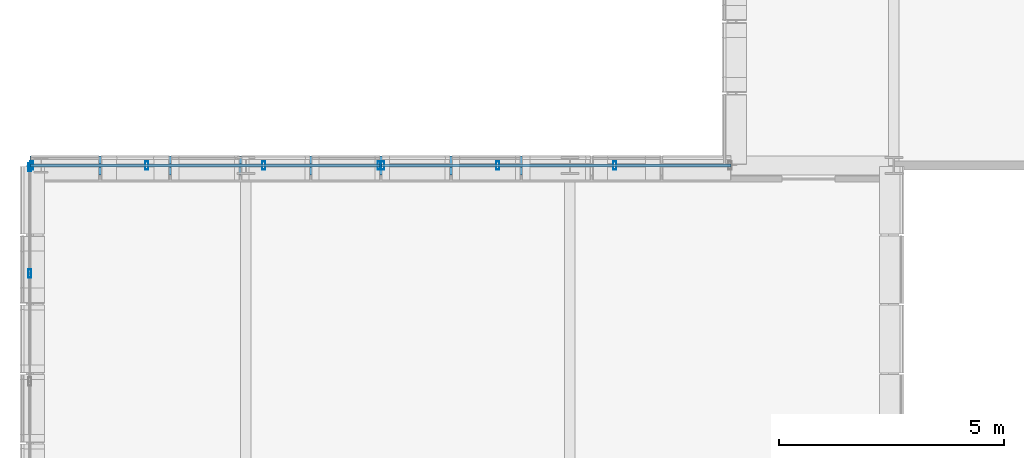
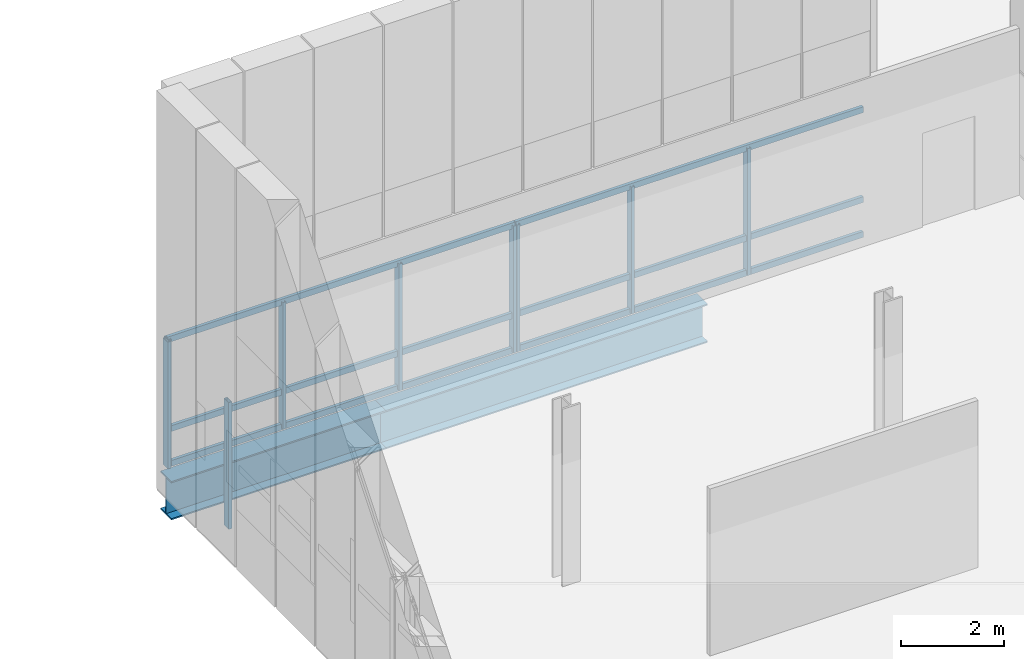
# One storey, part 17 of 144: 15 members, 2 beams, 3 elements without a shape of their own.
"""IFC4 building model written with IfcOpenShell, lengths in metres."""

from ifc_helpers import new_model, si_unit, direction, frame, origin, origin_2d, place, context, subcontext, project, spatial, hollow_rectangle, i_section, extrude, material, material_profile, profile_set, type_object, element, aggregate, save


model = new_model("IFC4")

# Units and contexts
model_context = context("Model", 3, precision=1e-05, world=origin(), true_north=direction((0.0, 1.0)))
body_context = subcontext(model_context, "Body", "Model", "MODEL_VIEW")
ifc_project = project(units=[si_unit("LENGTHUNIT", "METRE"), si_unit("AREAUNIT", "SQUARE_METRE"), si_unit("VOLUMEUNIT", "CUBIC_METRE"), si_unit("PLANEANGLEUNIT", "RADIAN"), si_unit("MASSUNIT", "GRAM", prefix="KILO")], contexts=[model_context])

# Site, building, storey
site_placement = place(None, origin())
site = spatial("IfcSite", under=ifc_project, at=site_placement, CompositionType="ELEMENT")
building_placement = place(site_placement, origin())
building = spatial("IfcBuilding", under=site, at=building_placement, Name="Yarey Park Central Fire Station", CompositionType="ELEMENT")
storey_placement = place(building_placement, frame((0.0, 0.0, 10.199951171875)))
storey = spatial("IfcBuildingStorey", under=building, at=storey_placement, Name="L03", CompositionType="ELEMENT", Elevation=10.199951171875)

# Curtain wall, members
ifc_material_1 = material(Name="Anodized Aluminium Frame", Category="aluminium")
curtain_wall_type = type_object("IfcCurtainWallType", Name="ENV_CW_V3_OVR1", PredefinedType="NOTDEFINED", material=ifc_material_1)
curtain_wall_1_placement = place(storey_placement, origin())
curtain_wall_1 = element("IfcCurtainWall", 1, at=curtain_wall_1_placement, inside=storey, type_object=curtain_wall_type, Name="CW_L03_DRUM_W_052", PredefinedType="NOTDEFINED")
ifc_material_profile_1 = material_profile(ifc_material_1, hollow_rectangle(XDim=0.070068359375, YDim=0.179931640625, WallThickness=0.00390625, at=origin_2d()), Name="ALU 180x70x4")
ifc_profile_set_1 = profile_set([ifc_material_profile_1], Name="Anodized Aluminium Frame")
member_type_1 = type_object("IfcMemberType", Name="ENV_CW_MULLION", PredefinedType="MULLION", material=ifc_profile_set_1)
member_1_placement = place(storey_placement, frame((9.60009765625, 43.159912109375, 0.0), z_axis=(0.0, 0.0, 1.0), x_axis=(1.0, 0.0, 0.0)))
member_1 = element("IfcMember", 2, at=member_1_placement, type_object=member_type_1, Name="CW_L03_DRUM_W_052_MUL1", PredefinedType="MULLION", context=body_context, shape_type="SweptSolid", body=[
    extrude(hollow_rectangle(XDim=0.070068359375, YDim=0.179931640625, WallThickness=0.00390625, at=origin_2d()), origin(), (0.0, 0.0, 1.0), 3.0),
])
member_2_placement = place(storey_placement, frame((9.60009765625, 40.800048828125, 0.0), z_axis=(0.0, 0.0, 1.0), x_axis=(1.0, 0.0, 0.0)))
member_2 = element("IfcMember", 3, at=member_2_placement, type_object=member_type_1, Name="CW_L03_DRUM_W_052_MUL2", PredefinedType="MULLION", context=body_context, shape_type="SweptSolid", body=[
    extrude(hollow_rectangle(XDim=0.070068359375, YDim=0.179931640625, WallThickness=0.00390625, at=origin_2d()), origin(), (0.0, 0.0, 1.0), 3.0),
])
aggregate(curtain_wall_1, [member_1, member_2])

curtain_wall_2_placement = place(storey_placement, origin())
curtain_wall_2 = element("IfcCurtainWall", 4, at=curtain_wall_2_placement, inside=storey, type_object=curtain_wall_type, Name="CW_L03_DRUM_N_053", PredefinedType="NOTDEFINED")
member_3_placement = place(storey_placement, frame((17.360107421875, 43.199951171875, 0.0), z_axis=(0.0, 0.0, 1.0), x_axis=(1.0, 0.0, 0.0)))
member_3 = element("IfcMember", 5, at=member_3_placement, type_object=member_type_1, Name="CW_L03_DRUM_N_053_MUL1", PredefinedType="MULLION", context=body_context, shape_type="SweptSolid", body=[
    extrude(hollow_rectangle(XDim=0.070068359375, YDim=0.179931640625, WallThickness=0.00390625, at=origin_2d()), origin(), (0.0, 0.0, 1.0), 3.0),
])
member_4_placement = place(storey_placement, frame((14.800048828125, 43.199951171875, 0.0), z_axis=(0.0, 0.0, 1.0), x_axis=(1.0, 0.0, 0.0)))
member_4 = element("IfcMember", 6, at=member_4_placement, type_object=member_type_1, Name="CW_L03_DRUM_N_053_MUL2", PredefinedType="MULLION", context=body_context, shape_type="SweptSolid", body=[
    extrude(hollow_rectangle(XDim=0.070068359375, YDim=0.179931640625, WallThickness=0.00390625, at=origin_2d()), origin(), (0.0, 0.0, 1.0), 3.0),
])
member_5_placement = place(storey_placement, frame((12.199951171875, 43.199951171875, 0.0), z_axis=(0.0, 0.0, 1.0), x_axis=(1.0, 0.0, 0.0)))
member_5 = element("IfcMember", 7, at=member_5_placement, type_object=member_type_1, Name="CW_L03_DRUM_N_053_MUL3", PredefinedType="MULLION", context=body_context, shape_type="SweptSolid", body=[
    extrude(hollow_rectangle(XDim=0.070068359375, YDim=0.179931640625, WallThickness=0.00390625, at=origin_2d()), origin(), (0.0, 0.0, 1.0), 3.0),
])
member_6_placement = place(storey_placement, frame((9.639892578125, 43.199951171875, 0.0), z_axis=(0.0, 0.0, 1.0), x_axis=(1.0, 0.0, 0.0)))
member_6 = element("IfcMember", 8, at=member_6_placement, type_object=member_type_1, Name="CW_L03_DRUM_N_053_MUL4", PredefinedType="MULLION", context=body_context, shape_type="SweptSolid", body=[
    extrude(hollow_rectangle(XDim=0.070068359375, YDim=0.179931640625, WallThickness=0.00390625, at=origin_2d()), origin(), (0.0, 0.0, 1.0), 3.0),
])

curtain_wall_3_placement = place(storey_placement, origin())
curtain_wall_3 = element("IfcCurtainWall", 9, at=curtain_wall_3_placement, inside=storey, type_object=curtain_wall_type, Name="CW_L03_DRUM_N_054", PredefinedType="NOTDEFINED")
member_7_placement = place(storey_placement, frame((22.60009765625, 43.199951171875, 0.0), z_axis=(0.0, 0.0, 1.0), x_axis=(1.0, 0.0, 0.0)))
member_7 = element("IfcMember", 10, at=member_7_placement, type_object=member_type_1, Name="CW_L03_DRUM_N_054_MUL2", PredefinedType="MULLION", context=body_context, shape_type="SweptSolid", body=[
    extrude(hollow_rectangle(XDim=0.070068359375, YDim=0.179931640625, WallThickness=0.00390625, at=origin_2d()), origin(), (0.0, 0.0, 1.0), 3.0),
])
member_8_placement = place(storey_placement, frame((20.0, 43.199951171875, 0.0), z_axis=(0.0, 0.0, 1.0), x_axis=(1.0, 0.0, 0.0)))
member_8 = element("IfcMember", 11, at=member_8_placement, type_object=member_type_1, Name="CW_L03_DRUM_N_054_MUL3", PredefinedType="MULLION", context=body_context, shape_type="SweptSolid", body=[
    extrude(hollow_rectangle(XDim=0.070068359375, YDim=0.179931640625, WallThickness=0.00390625, at=origin_2d()), origin(), (0.0, 0.0, 1.0), 3.0),
])
member_9_placement = place(storey_placement, frame((17.43994140625, 43.199951171875, 0.0), z_axis=(0.0, 0.0, 1.0), x_axis=(1.0, 0.0, 0.0)))
member_9 = element("IfcMember", 12, at=member_9_placement, type_object=member_type_1, Name="CW_L03_DRUM_N_054_MUL4", PredefinedType="MULLION", context=body_context, shape_type="SweptSolid", body=[
    extrude(hollow_rectangle(XDim=0.070068359375, YDim=0.179931640625, WallThickness=0.00390625, at=origin_2d()), origin(), (0.0, 0.0, 1.0), 3.0),
])

# Member
ifc_material_profile_2 = material_profile(ifc_material_1, hollow_rectangle(XDim=0.070068359375, YDim=0.139892578125, WallThickness=0.00390625, at=origin_2d()), Name="ALU 140x70x4")
ifc_profile_set_2 = profile_set([ifc_material_profile_2], Name="Anodized Aluminium Frame")
member_type_2 = type_object("IfcMemberType", Name="ENV_CW_TRANSOM", PredefinedType="USERDEFINED", material=ifc_profile_set_2)
member_10_placement = place(storey_placement, frame((17.385009765625, 43.199951171875, 0.025146484375), z_axis=(-1.0, 0.0, 0.0), x_axis=(0.0, -1.0, 0.0)))
member_10 = element("IfcMember", 13, at=member_10_placement, type_object=member_type_2, Name="CW_L03_DRUM_N_053_TRN1", ObjectType="TRANSOM", PredefinedType="USERDEFINED", context=body_context, shape_type="SweptSolid", body=[
    extrude(hollow_rectangle(XDim=0.070068359375, YDim=0.139892578125, WallThickness=0.00390625, at=origin_2d()), origin(), (0.0, 0.0, 1.0), 7.77001953125),
])

member_11_placement = place(storey_placement, frame((17.385009765625, 43.199951171875, 0.85009765625), z_axis=(-1.0, 0.0, 0.0), x_axis=(0.0, -1.0, 0.0)))
member_11 = element("IfcMember", 14, at=member_11_placement, type_object=member_type_2, Name="CW_L03_DRUM_N_053_TRN2", ObjectType="TRANSOM", PredefinedType="USERDEFINED", context=body_context, shape_type="SweptSolid", body=[
    extrude(hollow_rectangle(XDim=0.070068359375, YDim=0.139892578125, WallThickness=0.00390625, at=origin_2d()), origin(), (0.0, 0.0, 1.0), 7.77001953125),
])

member_12_placement = place(storey_placement, frame((17.385009765625, 43.199951171875, 2.97509765625), z_axis=(-1.0, 0.0, 0.0), x_axis=(0.0, -1.0, 0.0)))
member_12 = element("IfcMember", 15, at=member_12_placement, type_object=member_type_2, Name="CW_L03_DRUM_N_053_TRN3", ObjectType="TRANSOM", PredefinedType="USERDEFINED", context=body_context, shape_type="SweptSolid", body=[
    extrude(hollow_rectangle(XDim=0.070068359375, YDim=0.139892578125, WallThickness=0.00390625, at=origin_2d()), origin(), (0.0, 0.0, 1.0), 7.77001953125),
])

aggregate(curtain_wall_2, [member_3, member_4, member_5, member_6, member_10, member_11, member_12])

member_13_placement = place(storey_placement, frame((25.18505859375, 43.199951171875, 0.025146484375), z_axis=(-1.0, 0.0, 0.0), x_axis=(0.0, -1.0, 0.0)))
member_13 = element("IfcMember", 16, at=member_13_placement, type_object=member_type_2, Name="CW_L03_DRUM_N_054_TRN1", ObjectType="TRANSOM", PredefinedType="USERDEFINED", context=body_context, shape_type="SweptSolid", body=[
    extrude(hollow_rectangle(XDim=0.070068359375, YDim=0.139892578125, WallThickness=0.00390625, at=origin_2d()), origin(), (0.0, 0.0, 1.0), 7.77001953125),
])

member_14_placement = place(storey_placement, frame((25.18505859375, 43.199951171875, 0.85009765625), z_axis=(-1.0, 0.0, 0.0), x_axis=(0.0, -1.0, 0.0)))
member_14 = element("IfcMember", 17, at=member_14_placement, type_object=member_type_2, Name="CW_L03_DRUM_N_054_TRN2", ObjectType="TRANSOM", PredefinedType="USERDEFINED", context=body_context, shape_type="SweptSolid", body=[
    extrude(hollow_rectangle(XDim=0.070068359375, YDim=0.139892578125, WallThickness=0.00390625, at=origin_2d()), origin(), (0.0, 0.0, 1.0), 7.77001953125),
])

member_15_placement = place(storey_placement, frame((25.18505859375, 43.199951171875, 2.97509765625), z_axis=(-1.0, 0.0, 0.0), x_axis=(0.0, -1.0, 0.0)))
member_15 = element("IfcMember", 18, at=member_15_placement, type_object=member_type_2, Name="CW_L03_DRUM_N_054_TRN3", ObjectType="TRANSOM", PredefinedType="USERDEFINED", context=body_context, shape_type="SweptSolid", body=[
    extrude(hollow_rectangle(XDim=0.070068359375, YDim=0.139892578125, WallThickness=0.00390625, at=origin_2d()), origin(), (0.0, 0.0, 1.0), 7.77001953125),
])

aggregate(curtain_wall_3, [member_7, member_8, member_9, member_13, member_14, member_15])

# Beams
ifc_material_2 = material(Name="Steel ASTM A992 Gr. 50", Category="steel")
ifc_material_profile_3 = material_profile(ifc_material_2, i_section(OverallWidth=0.41796875, OverallDepth=0.912109375, WebThickness=0.019287109375, FlangeThickness=0.031982421875, at=origin_2d()), Name="W920x342")
ifc_profile_set_3 = profile_set([ifc_material_profile_3], Name="Steel ASTM A992 Gr. 50")
beam_type_1 = type_object("IfcBeamType", Name="STR_BM_W920", PredefinedType="BEAM", material=ifc_profile_set_3)
beam_1_placement = place(storey_placement, frame((14.39990234375, 43.199951171875, -0.716064453125), z_axis=(1.0, 0.0, 0.0), x_axis=(0.0, 1.0, 0.0)))
element("IfcBeam", 19, at=beam_1_placement, inside=storey, type_object=beam_type_1, Name="DRUM GIRD1 L03 Y432", PredefinedType="BEAM", context=body_context, shape_type="SweptSolid", body=[
    extrude(i_section(OverallWidth=0.41796875, OverallDepth=0.912109375, WebThickness=0.019287109375, FlangeThickness=0.031982421875, at=origin_2d()), origin(), (0.0, 0.0, 1.0), 7.2001953125),
])
ifc_material_profile_4 = material_profile(ifc_material_2, i_section(OverallWidth=0.41796875, OverallDepth=0.912109375, WebThickness=0.019287109375, FlangeThickness=0.031982421875, at=origin_2d()), Name="W920x342")
ifc_profile_set_4 = profile_set([ifc_material_profile_4], Name="Steel ASTM A992 Gr. 50")
beam_type_2 = type_object("IfcBeamType", Name="STR_BM_W920E", PredefinedType="BEAM", material=ifc_profile_set_4)
beam_2_placement = place(storey_placement, frame((9.60009765625, 43.199951171875, -0.716064453125), z_axis=(1.0, 0.0, 0.0), x_axis=(0.0, 1.0, 0.0)))
element("IfcBeam", 20, at=beam_2_placement, inside=storey, type_object=beam_type_2, Name="DRUM CANT L03 Y432", PredefinedType="BEAM", context=body_context, shape_type="SweptSolid", body=[
    extrude(i_section(OverallWidth=0.41796875, OverallDepth=0.912109375, WebThickness=0.019287109375, FlangeThickness=0.031982421875, at=origin_2d()), origin(), (0.0, 0.0, 1.0), 4.7998046875),
])

save(model, "model.ifc")
